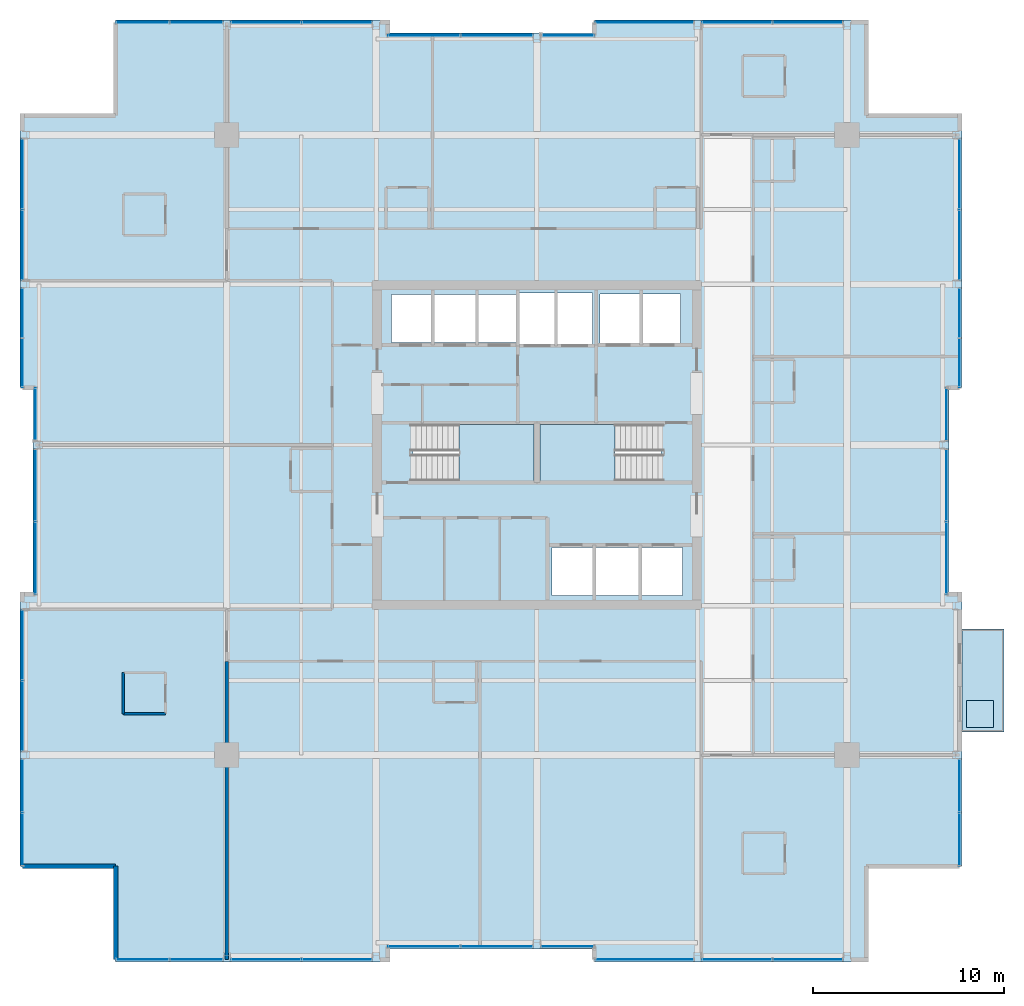
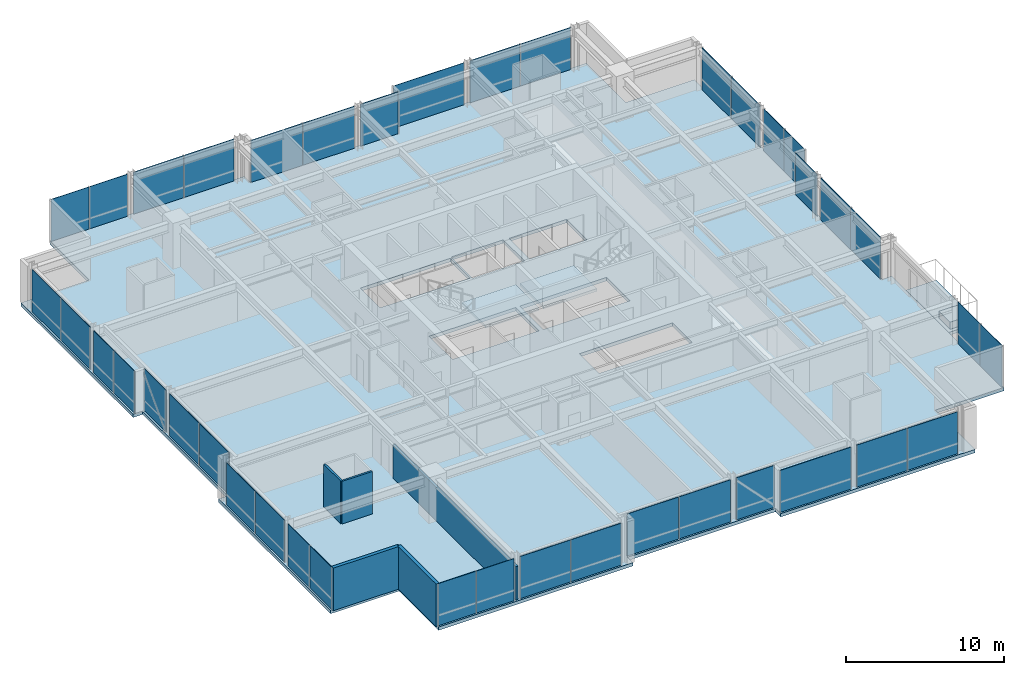
# One storey, part 26 of 33: 40 plates, 5 slabs, 5 walls, 25 elements without a shape of their own.
"""IFC4 building model written with IfcOpenShell, lengths in metres."""

from ifc_helpers import new_model, si_unit, direction, frame, frame_2d, origin, origin_2d, place, context, subcontext, project, spatial, polyline, rectangle, outline, extrude, material, layer, layer_set, type_object, element, aggregate, save


model = new_model("IFC4")

# Units and contexts
model_context = context("Model", 3, precision=1e-05, world=origin(), true_north=direction((0.0, 1.0)))
body_context = subcontext(model_context, "Body", "Model", "MODEL_VIEW")
ifc_project = project(units=[si_unit("LENGTHUNIT", "METRE"), si_unit("AREAUNIT", "SQUARE_METRE"), si_unit("VOLUMEUNIT", "CUBIC_METRE"), si_unit("PLANEANGLEUNIT", "RADIAN"), si_unit("MASSUNIT", "GRAM", prefix="KILO")], contexts=[model_context])

# Site, building, storey
site_placement = place(None, origin())
site = spatial("IfcSite", under=ifc_project, at=site_placement, CompositionType="ELEMENT")
building_placement = place(site_placement, origin())
building = spatial("IfcBuilding", under=site, at=building_placement, Name="Drelvath Grand Hotel", CompositionType="ELEMENT")
storey_placement = place(building_placement, frame((0.0, 0.0, 161.050048828125)))
storey = spatial("IfcBuildingStorey", under=building, at=storey_placement, Name="L41", CompositionType="ELEMENT", Elevation=161.050048828125)

# Slabs
ifc_material_1 = material(Name="Concrete f'c 40 MPa", Category="concrete")
ifc_layer_1 = layer(ifc_material_1, 0.239990234375)
ifc_layer_set_1 = layer_set([ifc_layer_1], Name="Concrete f'c 40 MPa")
slab_type_1 = type_object("IfcSlabType", Name="Cantilevered Tree Balcony Slab 240", PredefinedType="FLOOR", material=ifc_layer_set_1)
slab_1_placement = place(storey_placement, frame((0.0, 0.0, -0.239990234375)))
element("IfcSlab", 1, at=slab_1_placement, inside=storey, type_object=slab_type_1, Name="L41 Cantilevered Tree Balcony Slab 1", PredefinedType="FLOOR", context=body_context, shape_type="SweptSolid", body=[
    extrude(outline(polyline([(22.199951171875, 12.0), (24.39990234375, 12.0), (24.39990234375, 17.39990234375), (22.199951171875, 17.39990234375), (22.199951171875, 12.0)])), origin(), (0.0, 0.0, 1.0), 0.239990234375),
])
ifc_layer_2 = layer(ifc_material_1, 0.260009765625)
ifc_layer_set_2 = layer_set([ifc_layer_2], Name="Concrete f'c 40 MPa")
slab_type_2 = type_object("IfcSlabType", Name="Composite RC Floor Slab 260", PredefinedType="FLOOR", material=ifc_layer_set_2)
slab_2_placement = place(storey_placement, frame((0.0, 0.0, -0.260009765625)))
element("IfcSlab", 2, at=slab_2_placement, inside=storey, type_object=slab_type_2, Name="L41 Structural Floor Slab", PredefinedType="FLOOR", context=body_context, shape_type="SweptSolid", body=[
    extrude(outline(polyline([(-22.0, 0.0), (-7.800048828125, 0.0), (-7.800048828125, 0.679931640625), (3.0, 0.679931640625), (3.0, 0.0), (17.199951171875, 0.0), (17.199951171875, 5.0), (22.199951171875, 5.0), (22.199951171875, 19.199951171875), (21.52001953125, 19.199951171875), (21.52001953125, 30.0), (22.199951171875, 30.0), (22.199951171875, 44.199951171875), (17.199951171875, 44.199951171875), (17.199951171875, 49.199951171875), (3.0, 49.199951171875), (3.0, 48.52001953125), (-7.800048828125, 48.52001953125), (-7.800048828125, 49.199951171875), (-22.0, 49.199951171875), (-22.0, 44.199951171875), (-27.0, 44.199951171875), (-27.0, 30.0), (-26.320068359375, 30.0), (-26.320068359375, 19.199951171875), (-27.0, 19.199951171875), (-27.0, 5.0), (-22.0, 5.0), (-22.0, 0.0)]), holes=[polyline([(-6.47998046875, 25.1201171875), (-6.47998046875, 28.080078125), (-0.14990234375, 28.080078125), (-0.14990234375, 25.1201171875), (-6.47998046875, 25.1201171875)]), polyline([(0.14990234375, 25.1201171875), (0.14990234375, 28.080078125), (6.47998046875, 28.080078125), (6.47998046875, 25.1201171875), (0.14990234375, 25.1201171875)]), polyline([(0.800048828125, 19.14990234375), (0.800048828125, 21.64990234375), (7.60009765625, 21.64990234375), (7.60009765625, 19.14990234375), (0.800048828125, 19.14990234375)]), polyline([(-7.60009765625, 32.35009765625), (-7.60009765625, 34.85009765625), (-1.02001953125, 34.85009765625), (-1.02001953125, 32.35009765625), (-7.60009765625, 32.35009765625)]), polyline([(-0.89990234375, 32.25), (-0.89990234375, 34.949951171875), (2.89990234375, 34.949951171875), (2.89990234375, 32.25), (-0.89990234375, 32.25)]), polyline([(3.300048828125, 32.300048828125), (3.300048828125, 34.89990234375), (7.5, 34.89990234375), (7.5, 32.300048828125), (3.300048828125, 32.300048828125)])]), origin(), (0.0, 0.0, 1.0), 0.260009765625),
])

# Stair, slab
ifc_material_2 = material(Name="Concrete C40/50", Category="concrete")
stair_type = type_object("IfcStairType", Name="Dogleg Exit Stair W1400-R177.5", PredefinedType="HALF_TURN_STAIR", material=ifc_material_2)
stair_1_placement = place(storey_placement, origin())
stair_1 = element("IfcStair", 3, at=stair_1_placement, inside=storey, type_object=stair_type, Name="L41 Core Exit Stair ST-1", PredefinedType="HALF_TURN_STAIR")
ifc_layer_3 = layer(ifc_material_2, 0.199951171875)
ifc_layer_set_3 = layer_set([ifc_layer_3], Name="Concrete C40/50")
slab_type_3 = type_object("IfcSlabType", Name="Concrete Stair Landing Slab 200", PredefinedType="LANDING", material=ifc_layer_set_3)
slab_3_placement = place(storey_placement, frame((0.0, 0.0, 1.574951171875)))
slab_3 = element("IfcSlab", 4, at=slab_3_placement, type_object=slab_type_3, Name="ST-1 landing 1", PredefinedType="LANDING", context=body_context, shape_type="SweptSolid", body=[
    extrude(outline(polyline([(-4.080078125, 25.1201171875), (-0.14990234375, 25.1201171875), (-0.14990234375, 28.080078125), (-4.080078125, 28.080078125), (-4.080078125, 25.1201171875)])), origin(), (0.0, 0.0, 1.0), 0.199951171875),
])
aggregate(stair_1, [slab_3])

stair_2_placement = place(storey_placement, origin())
stair_2 = element("IfcStair", 5, at=stair_2_placement, inside=storey, type_object=stair_type, Name="L41 Core Exit Stair ST-2", PredefinedType="HALF_TURN_STAIR")
slab_4_placement = place(storey_placement, frame((0.0, 0.0, 1.574951171875)))
slab_4 = element("IfcSlab", 6, at=slab_4_placement, type_object=slab_type_3, Name="ST-2 landing 1", PredefinedType="LANDING", context=body_context, shape_type="SweptSolid", body=[
    extrude(outline(polyline([(4.080078125, 28.080078125), (0.14990234375, 28.080078125), (0.14990234375, 25.1201171875), (4.080078125, 25.1201171875), (4.080078125, 28.080078125)])), origin(), (0.0, 0.0, 1.0), 0.199951171875),
])
aggregate(stair_2, [slab_4])

# Curtain wall, plates
ifc_material_3 = material(Name="Brushed Pale-Silver Anodised Aluminium Frame", Category="aluminium")
ifc_layer_4 = layer(ifc_material_3, 0.199951171875)
ifc_layer_set_4 = layer_set([ifc_layer_4], Name="Brushed Pale-Silver Anodised Aluminium Frame")
curtain_wall_type = type_object("IfcCurtainWallType", Name="Stick Curtain Wall CW-04 Brushed Silver Upper-Mid", PredefinedType="NOTDEFINED", material=ifc_layer_set_4)
curtain_wall_1_placement = place(storey_placement, origin())
curtain_wall_1 = element("IfcCurtainWall", 7, at=curtain_wall_1_placement, inside=storey, type_object=curtain_wall_type, Name="L41 CW-04 Curtain Wall CW04-L41-WS1", PredefinedType="NOTDEFINED")
ifc_material_4 = material(Name="Low-E Triple Silver Vision Glass Cool", Category="glass")
ifc_layer_5 = layer(ifc_material_4, 0.035888671875)
ifc_layer_set_5 = layer_set([ifc_layer_5], Name="Low-E Triple Silver Vision Glass Cool")
plate_type = type_object("IfcPlateType", Name="Curtain Wall Vision Panel CW-04 36mm", PredefinedType="CURTAIN_PANEL", material=ifc_layer_set_5)
plate_1_placement = place(storey_placement, frame((-26.8798828125, 6.39990234375, 0.02001953125), z_axis=(0.0, 0.0, 1.0), x_axis=(0.0, 1.0, 0.0)))
plate_1 = element("IfcPlate", 8, at=plate_1_placement, type_object=plate_type, Name="CW04-L41-WS1 Glazed Panel 1", PredefinedType="CURTAIN_PANEL", context=body_context, shape_type="SweptSolid", body=[
    extrude(rectangle(XDim=2.760009765625, YDim=0.035888671875, at=origin_2d()), origin(), (0.0, 0.0, 1.0), 3.25),
])
plate_2_placement = place(storey_placement, frame((-26.8798828125, 9.199951171875, 0.02001953125), z_axis=(0.0, 0.0, 1.0), x_axis=(0.0, 1.0, 0.0)))
plate_2 = element("IfcPlate", 9, at=plate_2_placement, type_object=plate_type, Name="CW04-L41-WS1 Glazed Panel 2", PredefinedType="CURTAIN_PANEL", context=body_context, shape_type="SweptSolid", body=[
    extrude(rectangle(XDim=2.760009765625, YDim=0.035888671875, at=origin_2d()), origin(), (0.0, 0.0, 1.0), 3.25),
])
aggregate(curtain_wall_1, [plate_1, plate_2])

curtain_wall_2_placement = place(storey_placement, origin())
curtain_wall_2 = element("IfcCurtainWall", 10, at=curtain_wall_2_placement, inside=storey, type_object=curtain_wall_type, Name="L41 CW-04 Curtain Wall CW04-L41-WS2", PredefinedType="NOTDEFINED")
plate_3_placement = place(storey_placement, frame((-26.8798828125, 12.85009765625, 0.02001953125), z_axis=(0.0, 0.0, 1.0), x_axis=(0.0, 1.0, 0.0)))
plate_3 = element("IfcPlate", 11, at=plate_3_placement, type_object=plate_type, Name="CW04-L41-WS2 Glazed Panel 1", PredefinedType="CURTAIN_PANEL", context=body_context, shape_type="SweptSolid", body=[
    extrude(rectangle(XDim=3.659912109375, YDim=0.035888671875, at=origin_2d()), origin(), (0.0, 0.0, 1.0), 3.25),
])
plate_4_placement = place(storey_placement, frame((-26.8798828125, 16.550048828125, 0.02001953125), z_axis=(0.0, 0.0, 1.0), x_axis=(0.0, 1.0, 0.0)))
plate_4 = element("IfcPlate", 12, at=plate_4_placement, type_object=plate_type, Name="CW04-L41-WS2 Glazed Panel 2", PredefinedType="CURTAIN_PANEL", context=body_context, shape_type="SweptSolid", body=[
    extrude(rectangle(XDim=3.659912109375, YDim=0.035888671875, at=origin_2d()), origin(), (0.0, 0.0, 1.0), 3.25),
])
aggregate(curtain_wall_2, [plate_3, plate_4])

curtain_wall_3_placement = place(storey_placement, origin())
curtain_wall_3 = element("IfcCurtainWall", 13, at=curtain_wall_3_placement, inside=storey, type_object=curtain_wall_type, Name="L41 CW-04 Curtain Wall CW04-L41-WM1", PredefinedType="NOTDEFINED")
plate_5_placement = place(storey_placement, frame((-26.199951171875, 21.099853515625, 0.02001953125), z_axis=(0.0, 0.0, 1.0), x_axis=(0.0, 1.0, 0.0)))
plate_5 = element("IfcPlate", 14, at=plate_5_placement, type_object=plate_type, Name="CW04-L41-WM1 Glazed Panel 1", PredefinedType="CURTAIN_PANEL", context=body_context, shape_type="SweptSolid", body=[
    extrude(rectangle(XDim=3.760009765625, YDim=0.035888671875, at=origin_2d()), origin(), (0.0, 0.0, 1.0), 3.25),
])
plate_6_placement = place(storey_placement, frame((-26.199951171875, 24.89990234375, 0.02001953125), z_axis=(0.0, 0.0, 1.0), x_axis=(0.0, 1.0, 0.0)))
plate_6 = element("IfcPlate", 15, at=plate_6_placement, type_object=plate_type, Name="CW04-L41-WM1 Glazed Panel 2", PredefinedType="CURTAIN_PANEL", context=body_context, shape_type="SweptSolid", body=[
    extrude(rectangle(XDim=3.760009765625, YDim=0.035888671875, at=origin_2d()), origin(), (0.0, 0.0, 1.0), 3.25),
])
aggregate(curtain_wall_3, [plate_5, plate_6])

# Curtain wall, plate
curtain_wall_4_placement = place(storey_placement, origin())
curtain_wall_4 = element("IfcCurtainWall", 16, at=curtain_wall_4_placement, inside=storey, type_object=curtain_wall_type, Name="L41 CW-04 Curtain Wall CW04-L41-WM2", PredefinedType="NOTDEFINED")
plate_7_placement = place(storey_placement, frame((-26.199951171875, 28.60009765625, 0.02001953125), z_axis=(0.0, 0.0, 1.0), x_axis=(0.0, 1.0, 0.0)))
plate_7 = element("IfcPlate", 17, at=plate_7_placement, type_object=plate_type, Name="CW04-L41-WM2 Glazed Panel 1", PredefinedType="CURTAIN_PANEL", context=body_context, shape_type="SweptSolid", body=[
    extrude(rectangle(XDim=2.760009765625, YDim=0.035888671875, at=origin_2d()), origin(), (0.0, 0.0, 1.0), 3.25),
])
aggregate(curtain_wall_4, [plate_7])

# Curtain wall, plates
curtain_wall_5_placement = place(storey_placement, origin())
curtain_wall_5 = element("IfcCurtainWall", 18, at=curtain_wall_5_placement, inside=storey, type_object=curtain_wall_type, Name="L41 CW-04 Curtain Wall CW04-L41-WN1", PredefinedType="NOTDEFINED")
plate_8_placement = place(storey_placement, frame((-26.8798828125, 31.300048828125, 0.02001953125), z_axis=(0.0, 0.0, 1.0), x_axis=(0.0, 1.0, 0.0)))
plate_8 = element("IfcPlate", 19, at=plate_8_placement, type_object=plate_type, Name="CW04-L41-WN1 Glazed Panel 1", PredefinedType="CURTAIN_PANEL", context=body_context, shape_type="SweptSolid", body=[
    extrude(rectangle(XDim=2.56005859375, YDim=0.035888671875, at=origin_2d()), origin(), (0.0, 0.0, 1.0), 3.25),
])
plate_9_placement = place(storey_placement, frame((-26.8798828125, 33.89990234375, 0.02001953125), z_axis=(0.0, 0.0, 1.0), x_axis=(0.0, 1.0, 0.0)))
plate_9 = element("IfcPlate", 20, at=plate_9_placement, type_object=plate_type, Name="CW04-L41-WN1 Glazed Panel 2", PredefinedType="CURTAIN_PANEL", context=body_context, shape_type="SweptSolid", body=[
    extrude(rectangle(XDim=2.56005859375, YDim=0.035888671875, at=origin_2d()), origin(), (0.0, 0.0, 1.0), 3.25),
])
aggregate(curtain_wall_5, [plate_8, plate_9])

curtain_wall_6_placement = place(storey_placement, origin())
curtain_wall_6 = element("IfcCurtainWall", 21, at=curtain_wall_6_placement, inside=storey, type_object=curtain_wall_type, Name="L41 CW-04 Curtain Wall CW04-L41-WN2", PredefinedType="NOTDEFINED")
plate_10_placement = place(storey_placement, frame((-26.8798828125, 37.449951171875, 0.02001953125), z_axis=(0.0, 0.0, 1.0), x_axis=(0.0, 1.0, 0.0)))
plate_10 = element("IfcPlate", 22, at=plate_10_placement, type_object=plate_type, Name="CW04-L41-WN2 Glazed Panel 1", PredefinedType="CURTAIN_PANEL", context=body_context, shape_type="SweptSolid", body=[
    extrude(rectangle(XDim=3.659912109375, YDim=0.035888671875, at=origin_2d()), origin(), (0.0, 0.0, 1.0), 3.25),
])
plate_11_placement = place(storey_placement, frame((-26.8798828125, 41.14990234375, 0.02001953125), z_axis=(0.0, 0.0, 1.0), x_axis=(0.0, 1.0, 0.0)))
plate_11 = element("IfcPlate", 23, at=plate_11_placement, type_object=plate_type, Name="CW04-L41-WN2 Glazed Panel 2", PredefinedType="CURTAIN_PANEL", context=body_context, shape_type="SweptSolid", body=[
    extrude(rectangle(XDim=3.659912109375, YDim=0.035888671875, at=origin_2d()), origin(), (0.0, 0.0, 1.0), 3.25),
])
aggregate(curtain_wall_6, [plate_10, plate_11])

curtain_wall_7_placement = place(storey_placement, origin())
curtain_wall_7 = element("IfcCurtainWall", 24, at=curtain_wall_7_placement, inside=storey, type_object=curtain_wall_type, Name="L41 CW-04 Curtain Wall CW04-L41-EN1", PredefinedType="NOTDEFINED")
plate_12_placement = place(storey_placement, frame((22.080078125, 33.89990234375, 0.02001953125), z_axis=(0.0, 0.0, 1.0), x_axis=(0.0, -1.0, 0.0)))
plate_12 = element("IfcPlate", 25, at=plate_12_placement, type_object=plate_type, Name="CW04-L41-EN1 Glazed Panel 1", PredefinedType="CURTAIN_PANEL", context=body_context, shape_type="SweptSolid", body=[
    extrude(rectangle(XDim=2.56005859375, YDim=0.035888671875, at=origin_2d()), origin(), (0.0, 0.0, 1.0), 3.25),
])
plate_13_placement = place(storey_placement, frame((22.080078125, 31.300048828125, 0.02001953125), z_axis=(0.0, 0.0, 1.0), x_axis=(0.0, -1.0, 0.0)))
plate_13 = element("IfcPlate", 26, at=plate_13_placement, type_object=plate_type, Name="CW04-L41-EN1 Glazed Panel 2", PredefinedType="CURTAIN_PANEL", context=body_context, shape_type="SweptSolid", body=[
    extrude(rectangle(XDim=2.56005859375, YDim=0.035888671875, at=origin_2d()), origin(), (0.0, 0.0, 1.0), 3.25),
])
aggregate(curtain_wall_7, [plate_12, plate_13])

curtain_wall_8_placement = place(storey_placement, origin())
curtain_wall_8 = element("IfcCurtainWall", 27, at=curtain_wall_8_placement, inside=storey, type_object=curtain_wall_type, Name="L41 CW-04 Curtain Wall CW04-L41-EN2", PredefinedType="NOTDEFINED")
plate_14_placement = place(storey_placement, frame((22.080078125, 41.14990234375, 0.02001953125), z_axis=(0.0, 0.0, 1.0), x_axis=(0.0, -1.0, 0.0)))
plate_14 = element("IfcPlate", 28, at=plate_14_placement, type_object=plate_type, Name="CW04-L41-EN2 Glazed Panel 1", PredefinedType="CURTAIN_PANEL", context=body_context, shape_type="SweptSolid", body=[
    extrude(rectangle(XDim=3.659912109375, YDim=0.035888671875, at=origin_2d()), origin(), (0.0, 0.0, 1.0), 3.25),
])
plate_15_placement = place(storey_placement, frame((22.080078125, 37.449951171875, 0.02001953125), z_axis=(0.0, 0.0, 1.0), x_axis=(0.0, -1.0, 0.0)))
plate_15 = element("IfcPlate", 29, at=plate_15_placement, type_object=plate_type, Name="CW04-L41-EN2 Glazed Panel 2", PredefinedType="CURTAIN_PANEL", context=body_context, shape_type="SweptSolid", body=[
    extrude(rectangle(XDim=3.659912109375, YDim=0.035888671875, at=origin_2d()), origin(), (0.0, 0.0, 1.0), 3.25),
])
aggregate(curtain_wall_8, [plate_14, plate_15])

curtain_wall_9_placement = place(storey_placement, origin())
curtain_wall_9 = element("IfcCurtainWall", 30, at=curtain_wall_9_placement, inside=storey, type_object=curtain_wall_type, Name="L41 CW-04 Curtain Wall CW04-L41-EM1", PredefinedType="NOTDEFINED")
plate_16_placement = place(storey_placement, frame((21.39990234375, 24.89990234375, 0.02001953125), z_axis=(0.0, 0.0, 1.0), x_axis=(0.0, -1.0, 0.0)))
plate_16 = element("IfcPlate", 31, at=plate_16_placement, type_object=plate_type, Name="CW04-L41-EM1 Glazed Panel 1", PredefinedType="CURTAIN_PANEL", context=body_context, shape_type="SweptSolid", body=[
    extrude(rectangle(XDim=3.760009765625, YDim=0.035888671875, at=origin_2d()), origin(), (0.0, 0.0, 1.0), 3.25),
])
plate_17_placement = place(storey_placement, frame((21.39990234375, 21.099853515625, 0.02001953125), z_axis=(0.0, 0.0, 1.0), x_axis=(0.0, -1.0, 0.0)))
plate_17 = element("IfcPlate", 32, at=plate_17_placement, type_object=plate_type, Name="CW04-L41-EM1 Glazed Panel 2", PredefinedType="CURTAIN_PANEL", context=body_context, shape_type="SweptSolid", body=[
    extrude(rectangle(XDim=3.760009765625, YDim=0.035888671875, at=origin_2d()), origin(), (0.0, 0.0, 1.0), 3.25),
])
aggregate(curtain_wall_9, [plate_16, plate_17])

# Curtain wall, plate
curtain_wall_10_placement = place(storey_placement, origin())
curtain_wall_10 = element("IfcCurtainWall", 33, at=curtain_wall_10_placement, inside=storey, type_object=curtain_wall_type, Name="L41 CW-04 Curtain Wall CW04-L41-EM2", PredefinedType="NOTDEFINED")
plate_18_placement = place(storey_placement, frame((21.39990234375, 28.60009765625, 0.02001953125), z_axis=(0.0, 0.0, 1.0), x_axis=(0.0, -1.0, 0.0)))
plate_18 = element("IfcPlate", 34, at=plate_18_placement, type_object=plate_type, Name="CW04-L41-EM2 Glazed Panel 1", PredefinedType="CURTAIN_PANEL", context=body_context, shape_type="SweptSolid", body=[
    extrude(rectangle(XDim=2.760009765625, YDim=0.035888671875, at=origin_2d()), origin(), (0.0, 0.0, 1.0), 3.25),
])
aggregate(curtain_wall_10, [plate_18])

# Curtain wall, plates
curtain_wall_11_placement = place(storey_placement, origin())
curtain_wall_11 = element("IfcCurtainWall", 35, at=curtain_wall_11_placement, inside=storey, type_object=curtain_wall_type, Name="L41 CW-04 Curtain Wall CW04-L41-ES1", PredefinedType="NOTDEFINED")
plate_19_placement = place(storey_placement, frame((22.080078125, 9.199951171875, 0.02001953125), z_axis=(0.0, 0.0, 1.0), x_axis=(0.0, -1.0, 0.0)))
plate_19 = element("IfcPlate", 36, at=plate_19_placement, type_object=plate_type, Name="CW04-L41-ES1 Glazed Panel 1", PredefinedType="CURTAIN_PANEL", context=body_context, shape_type="SweptSolid", body=[
    extrude(rectangle(XDim=2.760009765625, YDim=0.035888671875, at=origin_2d()), origin(), (0.0, 0.0, 1.0), 3.25),
])
plate_20_placement = place(storey_placement, frame((22.080078125, 6.39990234375, 0.02001953125), z_axis=(0.0, 0.0, 1.0), x_axis=(0.0, -1.0, 0.0)))
plate_20 = element("IfcPlate", 37, at=plate_20_placement, type_object=plate_type, Name="CW04-L41-ES1 Glazed Panel 2", PredefinedType="CURTAIN_PANEL", context=body_context, shape_type="SweptSolid", body=[
    extrude(rectangle(XDim=2.760009765625, YDim=0.035888671875, at=origin_2d()), origin(), (0.0, 0.0, 1.0), 3.25),
])
aggregate(curtain_wall_11, [plate_19, plate_20])

curtain_wall_12_placement = place(storey_placement, origin())
curtain_wall_12 = element("IfcCurtainWall", 38, at=curtain_wall_12_placement, inside=storey, type_object=curtain_wall_type, Name="L41 CW-04 Curtain Wall CW04-L41-NW1", PredefinedType="NOTDEFINED")
plate_21_placement = place(storey_placement, frame((-20.60009765625, 49.080078125, 0.02001953125), z_axis=(0.0, 0.0, 1.0), x_axis=(1.0, 0.0, 0.0)))
plate_21 = element("IfcPlate", 39, at=plate_21_placement, type_object=plate_type, Name="CW04-L41-NW1 Glazed Panel 1", PredefinedType="CURTAIN_PANEL", context=body_context, shape_type="SweptSolid", body=[
    extrude(rectangle(XDim=2.760009765625, YDim=0.035888671875, at=origin_2d()), origin(), (0.0, 0.0, 1.0), 3.25),
])
plate_22_placement = place(storey_placement, frame((-17.800048828125, 49.080078125, 0.02001953125), z_axis=(0.0, 0.0, 1.0), x_axis=(1.0, 0.0, 0.0)))
plate_22 = element("IfcPlate", 40, at=plate_22_placement, type_object=plate_type, Name="CW04-L41-NW1 Glazed Panel 2", PredefinedType="CURTAIN_PANEL", context=body_context, shape_type="SweptSolid", body=[
    extrude(rectangle(XDim=2.760009765625, YDim=0.035888671875, at=origin_2d()), origin(), (0.0, 0.0, 1.0), 3.25),
])
aggregate(curtain_wall_12, [plate_21, plate_22])

curtain_wall_13_placement = place(storey_placement, origin())
curtain_wall_13 = element("IfcCurtainWall", 41, at=curtain_wall_13_placement, inside=storey, type_object=curtain_wall_type, Name="L41 CW-04 Curtain Wall CW04-L41-NW2", PredefinedType="NOTDEFINED")
plate_23_placement = place(storey_placement, frame((-14.14990234375, 49.080078125, 0.02001953125), z_axis=(0.0, 0.0, 1.0), x_axis=(1.0, 0.0, 0.0)))
plate_23 = element("IfcPlate", 42, at=plate_23_placement, type_object=plate_type, Name="CW04-L41-NW2 Glazed Panel 1", PredefinedType="CURTAIN_PANEL", context=body_context, shape_type="SweptSolid", body=[
    extrude(rectangle(XDim=3.659912109375, YDim=0.035888671875, at=origin_2d()), origin(), (0.0, 0.0, 1.0), 3.25),
])
plate_24_placement = place(storey_placement, frame((-10.4501953125, 49.080078125, 0.02001953125), z_axis=(0.0, 0.0, 1.0), x_axis=(1.0, 0.0, 0.0)))
plate_24 = element("IfcPlate", 43, at=plate_24_placement, type_object=plate_type, Name="CW04-L41-NW2 Glazed Panel 2", PredefinedType="CURTAIN_PANEL", context=body_context, shape_type="SweptSolid", body=[
    extrude(rectangle(XDim=3.659912109375, YDim=0.035888671875, at=origin_2d()), origin(), (0.0, 0.0, 1.0), 3.25),
])
aggregate(curtain_wall_13, [plate_23, plate_24])

curtain_wall_14_placement = place(storey_placement, origin())
curtain_wall_14 = element("IfcCurtainWall", 44, at=curtain_wall_14_placement, inside=storey, type_object=curtain_wall_type, Name="L41 CW-04 Curtain Wall CW04-L41-NM1", PredefinedType="NOTDEFINED")
plate_25_placement = place(storey_placement, frame((-5.89990234375, 48.39990234375, 0.02001953125), z_axis=(0.0, 0.0, 1.0), x_axis=(1.0, 0.0, 0.0)))
plate_25 = element("IfcPlate", 45, at=plate_25_placement, type_object=plate_type, Name="CW04-L41-NM1 Glazed Panel 1", PredefinedType="CURTAIN_PANEL", context=body_context, shape_type="SweptSolid", body=[
    extrude(rectangle(XDim=3.760009765625, YDim=0.035888671875, at=origin_2d()), origin(), (0.0, 0.0, 1.0), 3.25),
])
plate_26_placement = place(storey_placement, frame((-2.10009765625, 48.39990234375, 0.02001953125), z_axis=(0.0, 0.0, 1.0), x_axis=(1.0, 0.0, 0.0)))
plate_26 = element("IfcPlate", 46, at=plate_26_placement, type_object=plate_type, Name="CW04-L41-NM1 Glazed Panel 2", PredefinedType="CURTAIN_PANEL", context=body_context, shape_type="SweptSolid", body=[
    extrude(rectangle(XDim=3.760009765625, YDim=0.035888671875, at=origin_2d()), origin(), (0.0, 0.0, 1.0), 3.25),
])
aggregate(curtain_wall_14, [plate_25, plate_26])

# Curtain wall, plate
curtain_wall_15_placement = place(storey_placement, origin())
curtain_wall_15 = element("IfcCurtainWall", 47, at=curtain_wall_15_placement, inside=storey, type_object=curtain_wall_type, Name="L41 CW-04 Curtain Wall CW04-L41-NM2", PredefinedType="NOTDEFINED")
plate_27_placement = place(storey_placement, frame((1.60009765625, 48.39990234375, 0.02001953125), z_axis=(0.0, 0.0, 1.0), x_axis=(1.0, 0.0, 0.0)))
plate_27 = element("IfcPlate", 48, at=plate_27_placement, type_object=plate_type, Name="CW04-L41-NM2 Glazed Panel 1", PredefinedType="CURTAIN_PANEL", context=body_context, shape_type="SweptSolid", body=[
    extrude(rectangle(XDim=2.760009765625, YDim=0.035888671875, at=origin_2d()), origin(), (0.0, 0.0, 1.0), 3.25),
])
aggregate(curtain_wall_15, [plate_27])

curtain_wall_16_placement = place(storey_placement, origin())
curtain_wall_16 = element("IfcCurtainWall", 49, at=curtain_wall_16_placement, inside=storey, type_object=curtain_wall_type, Name="L41 CW-04 Curtain Wall CW04-L41-NE1", PredefinedType="NOTDEFINED")
plate_28_placement = place(storey_placement, frame((5.599853515625, 49.080078125, 0.02001953125), z_axis=(0.0, 0.0, 1.0), x_axis=(1.0, 0.0, 0.0)))
plate_28 = element("IfcPlate", 50, at=plate_28_placement, type_object=plate_type, Name="CW04-L41-NE1 Glazed Panel 1", PredefinedType="CURTAIN_PANEL", context=body_context, shape_type="SweptSolid", body=[
    extrude(rectangle(XDim=5.159912109375, YDim=0.035888671875, at=origin_2d()), origin(), (0.0, 0.0, 1.0), 3.25),
])
aggregate(curtain_wall_16, [plate_28])

# Curtain wall, plates
curtain_wall_17_placement = place(storey_placement, origin())
curtain_wall_17 = element("IfcCurtainWall", 51, at=curtain_wall_17_placement, inside=storey, type_object=curtain_wall_type, Name="L41 CW-04 Curtain Wall CW04-L41-NE2", PredefinedType="NOTDEFINED")
plate_29_placement = place(storey_placement, frame((10.4501953125, 49.080078125, 0.02001953125), z_axis=(0.0, 0.0, 1.0), x_axis=(1.0, 0.0, 0.0)))
plate_29 = element("IfcPlate", 52, at=plate_29_placement, type_object=plate_type, Name="CW04-L41-NE2 Glazed Panel 1", PredefinedType="CURTAIN_PANEL", context=body_context, shape_type="SweptSolid", body=[
    extrude(rectangle(XDim=3.659912109375, YDim=0.035888671875, at=origin_2d()), origin(), (0.0, 0.0, 1.0), 3.25),
])
plate_30_placement = place(storey_placement, frame((14.14990234375, 49.080078125, 0.02001953125), z_axis=(0.0, 0.0, 1.0), x_axis=(1.0, 0.0, 0.0)))
plate_30 = element("IfcPlate", 53, at=plate_30_placement, type_object=plate_type, Name="CW04-L41-NE2 Glazed Panel 2", PredefinedType="CURTAIN_PANEL", context=body_context, shape_type="SweptSolid", body=[
    extrude(rectangle(XDim=3.659912109375, YDim=0.035888671875, at=origin_2d()), origin(), (0.0, 0.0, 1.0), 3.25),
])
aggregate(curtain_wall_17, [plate_29, plate_30])

# Curtain wall, plate
curtain_wall_18_placement = place(storey_placement, origin())
curtain_wall_18 = element("IfcCurtainWall", 54, at=curtain_wall_18_placement, inside=storey, type_object=curtain_wall_type, Name="L41 CW-04 Curtain Wall CW04-L41-SE1", PredefinedType="NOTDEFINED")
plate_31_placement = place(storey_placement, frame((5.599853515625, 0.1201171875, 0.02001953125), z_axis=(0.0, 0.0, 1.0), x_axis=(-1.0, 0.0, 0.0)))
plate_31 = element("IfcPlate", 55, at=plate_31_placement, type_object=plate_type, Name="CW04-L41-SE1 Glazed Panel 1", PredefinedType="CURTAIN_PANEL", context=body_context, shape_type="SweptSolid", body=[
    extrude(rectangle(XDim=5.159912109375, YDim=0.035888671875, at=origin_2d()), origin(), (0.0, 0.0, 1.0), 3.25),
])
aggregate(curtain_wall_18, [plate_31])

# Curtain wall, plates
curtain_wall_19_placement = place(storey_placement, origin())
curtain_wall_19 = element("IfcCurtainWall", 56, at=curtain_wall_19_placement, inside=storey, type_object=curtain_wall_type, Name="L41 CW-04 Curtain Wall CW04-L41-SE2", PredefinedType="NOTDEFINED")
plate_32_placement = place(storey_placement, frame((14.14990234375, 0.1201171875, 0.02001953125), z_axis=(0.0, 0.0, 1.0), x_axis=(-1.0, 0.0, 0.0)))
plate_32 = element("IfcPlate", 57, at=plate_32_placement, type_object=plate_type, Name="CW04-L41-SE2 Glazed Panel 1", PredefinedType="CURTAIN_PANEL", context=body_context, shape_type="SweptSolid", body=[
    extrude(rectangle(XDim=3.659912109375, YDim=0.035888671875, at=origin_2d()), origin(), (0.0, 0.0, 1.0), 3.25),
])
plate_33_placement = place(storey_placement, frame((10.4501953125, 0.1201171875, 0.02001953125), z_axis=(0.0, 0.0, 1.0), x_axis=(-1.0, 0.0, 0.0)))
plate_33 = element("IfcPlate", 58, at=plate_33_placement, type_object=plate_type, Name="CW04-L41-SE2 Glazed Panel 2", PredefinedType="CURTAIN_PANEL", context=body_context, shape_type="SweptSolid", body=[
    extrude(rectangle(XDim=3.659912109375, YDim=0.035888671875, at=origin_2d()), origin(), (0.0, 0.0, 1.0), 3.25),
])
aggregate(curtain_wall_19, [plate_32, plate_33])

curtain_wall_20_placement = place(storey_placement, origin())
curtain_wall_20 = element("IfcCurtainWall", 59, at=curtain_wall_20_placement, inside=storey, type_object=curtain_wall_type, Name="L41 CW-04 Curtain Wall CW04-L41-SM1", PredefinedType="NOTDEFINED")
plate_34_placement = place(storey_placement, frame((-2.10009765625, 0.800048828125, 0.02001953125), z_axis=(0.0, 0.0, 1.0), x_axis=(-1.0, 0.0, 0.0)))
plate_34 = element("IfcPlate", 60, at=plate_34_placement, type_object=plate_type, Name="CW04-L41-SM1 Glazed Panel 1", PredefinedType="CURTAIN_PANEL", context=body_context, shape_type="SweptSolid", body=[
    extrude(rectangle(XDim=3.760009765625, YDim=0.035888671875, at=origin_2d()), origin(), (0.0, 0.0, 1.0), 3.25),
])
plate_35_placement = place(storey_placement, frame((-5.89990234375, 0.800048828125, 0.02001953125), z_axis=(0.0, 0.0, 1.0), x_axis=(-1.0, 0.0, 0.0)))
plate_35 = element("IfcPlate", 61, at=plate_35_placement, type_object=plate_type, Name="CW04-L41-SM1 Glazed Panel 2", PredefinedType="CURTAIN_PANEL", context=body_context, shape_type="SweptSolid", body=[
    extrude(rectangle(XDim=3.760009765625, YDim=0.035888671875, at=origin_2d()), origin(), (0.0, 0.0, 1.0), 3.25),
])
aggregate(curtain_wall_20, [plate_34, plate_35])

# Curtain wall, plate
curtain_wall_21_placement = place(storey_placement, origin())
curtain_wall_21 = element("IfcCurtainWall", 62, at=curtain_wall_21_placement, inside=storey, type_object=curtain_wall_type, Name="L41 CW-04 Curtain Wall CW04-L41-SM2", PredefinedType="NOTDEFINED")
plate_36_placement = place(storey_placement, frame((1.60009765625, 0.800048828125, 0.02001953125), z_axis=(0.0, 0.0, 1.0), x_axis=(-1.0, 0.0, 0.0)))
plate_36 = element("IfcPlate", 63, at=plate_36_placement, type_object=plate_type, Name="CW04-L41-SM2 Glazed Panel 1", PredefinedType="CURTAIN_PANEL", context=body_context, shape_type="SweptSolid", body=[
    extrude(rectangle(XDim=2.760009765625, YDim=0.035888671875, at=origin_2d()), origin(), (0.0, 0.0, 1.0), 3.25),
])
aggregate(curtain_wall_21, [plate_36])

# Curtain wall, plates
curtain_wall_22_placement = place(storey_placement, origin())
curtain_wall_22 = element("IfcCurtainWall", 64, at=curtain_wall_22_placement, inside=storey, type_object=curtain_wall_type, Name="L41 CW-04 Curtain Wall CW04-L41-SW1", PredefinedType="NOTDEFINED")
plate_37_placement = place(storey_placement, frame((-17.800048828125, 0.1201171875, 0.02001953125), z_axis=(0.0, 0.0, 1.0), x_axis=(-1.0, 0.0, 0.0)))
plate_37 = element("IfcPlate", 65, at=plate_37_placement, type_object=plate_type, Name="CW04-L41-SW1 Glazed Panel 1", PredefinedType="CURTAIN_PANEL", context=body_context, shape_type="SweptSolid", body=[
    extrude(rectangle(XDim=2.760009765625, YDim=0.035888671875, at=origin_2d()), origin(), (0.0, 0.0, 1.0), 3.25),
])
plate_38_placement = place(storey_placement, frame((-20.60009765625, 0.1201171875, 0.02001953125), z_axis=(0.0, 0.0, 1.0), x_axis=(-1.0, 0.0, 0.0)))
plate_38 = element("IfcPlate", 66, at=plate_38_placement, type_object=plate_type, Name="CW04-L41-SW1 Glazed Panel 2", PredefinedType="CURTAIN_PANEL", context=body_context, shape_type="SweptSolid", body=[
    extrude(rectangle(XDim=2.760009765625, YDim=0.035888671875, at=origin_2d()), origin(), (0.0, 0.0, 1.0), 3.25),
])
aggregate(curtain_wall_22, [plate_37, plate_38])

curtain_wall_23_placement = place(storey_placement, origin())
curtain_wall_23 = element("IfcCurtainWall", 67, at=curtain_wall_23_placement, inside=storey, type_object=curtain_wall_type, Name="L41 CW-04 Curtain Wall CW04-L41-SW2", PredefinedType="NOTDEFINED")
plate_39_placement = place(storey_placement, frame((-10.4501953125, 0.1201171875, 0.02001953125), z_axis=(0.0, 0.0, 1.0), x_axis=(-1.0, 0.0, 0.0)))
plate_39 = element("IfcPlate", 68, at=plate_39_placement, type_object=plate_type, Name="CW04-L41-SW2 Glazed Panel 1", PredefinedType="CURTAIN_PANEL", context=body_context, shape_type="SweptSolid", body=[
    extrude(rectangle(XDim=3.659912109375, YDim=0.035888671875, at=origin_2d()), origin(), (0.0, 0.0, 1.0), 3.25),
])
plate_40_placement = place(storey_placement, frame((-14.14990234375, 0.1201171875, 0.02001953125), z_axis=(0.0, 0.0, 1.0), x_axis=(-1.0, 0.0, 0.0)))
plate_40 = element("IfcPlate", 69, at=plate_40_placement, type_object=plate_type, Name="CW04-L41-SW2 Glazed Panel 2", PredefinedType="CURTAIN_PANEL", context=body_context, shape_type="SweptSolid", body=[
    extrude(rectangle(XDim=3.659912109375, YDim=0.035888671875, at=origin_2d()), origin(), (0.0, 0.0, 1.0), 3.25),
])
aggregate(curtain_wall_23, [plate_39, plate_40])

# Slab
ifc_layer_6 = layer(ifc_material_1, 0.550048828125)
ifc_layer_set_6 = layer_set([ifc_layer_6], Name="Concrete f'c 40 MPa")
slab_type_4 = type_object("IfcSlabType", Name="Structural Tree Planter Box 550", PredefinedType="USERDEFINED", material=ifc_layer_set_6)
slab_5_placement = place(storey_placement, origin())
element("IfcSlab", 70, at=slab_5_placement, inside=storey, type_object=slab_type_4, Name="L41 Tree Balcony Structural Planter 1", ObjectType="PLANTER", PredefinedType="USERDEFINED", context=body_context, shape_type="SweptSolid", body=[
    extrude(outline(polyline([(22.449951171875, 12.25), (23.85009765625, 12.25), (23.85009765625, 13.64990234375), (22.449951171875, 13.64990234375), (22.449951171875, 12.25)])), origin(), (0.0, 0.0, 1.0), 0.550048828125),
])

# Walls
ifc_material_5 = material(Name="Moisture-Resistant Gypsum Board")
ifc_layer_7 = layer(ifc_material_5, 0.139892578125)
ifc_layer_set_7 = layer_set([ifc_layer_7], Name="Moisture-Resistant Gypsum Board")
wall_type_1 = type_object("IfcWallType", Name="En-Suite Plumbing Wall 140", PredefinedType="PLUMBINGWALL", material=ifc_layer_set_7)
wall_1_placement = place(storey_placement, frame((-21.60009765625, 12.9599609375, 0.0), z_axis=(0.0, 0.0, 1.0), x_axis=(1.0, 0.0, 0.0)))
element("IfcWall", 71, at=wall_1_placement, inside=storey, type_object=wall_type_1, Name="L41 Corner En-Suite South", PredefinedType="PLUMBINGWALL", context=body_context, shape_type="SweptSolid", body=[
    extrude(rectangle(XDim=2.2001953125, YDim=0.139892578125, at=frame_2d((1.10009765625, 0.0))), origin(), (0.0, 0.0, 1.0), 3.2900390625),
])
wall_2_placement = place(storey_placement, frame((-21.60009765625, 12.9599609375, 0.0), z_axis=(0.0, 0.0, 1.0), x_axis=(0.0, 1.0, 0.0)))
element("IfcWall", 72, at=wall_2_placement, inside=storey, type_object=wall_type_1, Name="L41 Corner En-Suite West", PredefinedType="PLUMBINGWALL", context=body_context, shape_type="SweptSolid", body=[
    extrude(rectangle(XDim=2.150146484375, YDim=0.139892578125, at=frame_2d((1.0751953125, 0.0))), origin(), (0.0, 0.0, 1.0), 3.2900390625),
])
ifc_material_6 = material(Name="Gypsum Acoustic Partition")
ifc_layer_8 = layer(ifc_material_6, 0.1650390625)
ifc_layer_set_8 = layer_set([ifc_layer_8], Name="Gypsum Acoustic Partition")
wall_type_2 = type_object("IfcWallType", Name="Suite Demising Wall 165", PredefinedType="PARTITIONING", material=ifc_layer_set_8)
wall_3_placement = place(storey_placement, frame((-16.199951171875, 0.1201171875, 0.0), z_axis=(0.0, 0.0, 1.0), x_axis=(0.0, 1.0, 0.0)))
element("IfcWall", 73, at=wall_3_placement, inside=storey, type_object=wall_type_2, Name="L41 SW Suite East Wall", PredefinedType="PARTITIONING", context=body_context, shape_type="SweptSolid", body=[
    extrude(rectangle(XDim=15.579833984375, YDim=0.1650390625, at=frame_2d((7.7900390625, 0.0))), origin(), (0.0, 0.0, 1.0), 2.57958984375),
])
ifc_material_7 = material(Name="Pale-Metal Insulated Aluminium Spandrel Assembly", Category="aluminium")
ifc_layer_9 = layer(ifc_material_7, 0.239990234375)
ifc_layer_set_9 = layer_set([ifc_layer_9], Name="Pale-Metal Insulated Aluminium Spandrel Assembly")
wall_type_3 = type_object("IfcWallType", Name="Tower Insulated Metal Spandrel Closure Wall 240", PredefinedType="STANDARD", material=ifc_layer_set_9)
for number, where, z_axis, x_axis, name in (
    (74, (-22.0, 0.1201171875, 0.0), (0.0, 0.0, 1.0), (0.0, 1.0, 0.0), "L41 Notched Corner Return Spandrel Wall CSW1"),
    (75, (-22.0, 5.0, 0.0), (0.0, 0.0, 1.0), (-1.0, 0.0, 0.0), "L41 Notched Corner Return Spandrel Wall CSW2"),
):
    element("IfcWall", number, at=place(storey_placement, frame(where, z_axis=z_axis, x_axis=x_axis)), inside=storey, type_object=wall_type_3, Name=name, PredefinedType="STANDARD", context=body_context, shape_type="SweptSolid", body=[
        extrude(rectangle(XDim=4.8798828125, YDim=0.239990234375, at=frame_2d((2.43994140625, 0.0))), origin(), (0.0, 0.0, 1.0), 3.2900390625),
    ])

save(model, "model.ifc")
